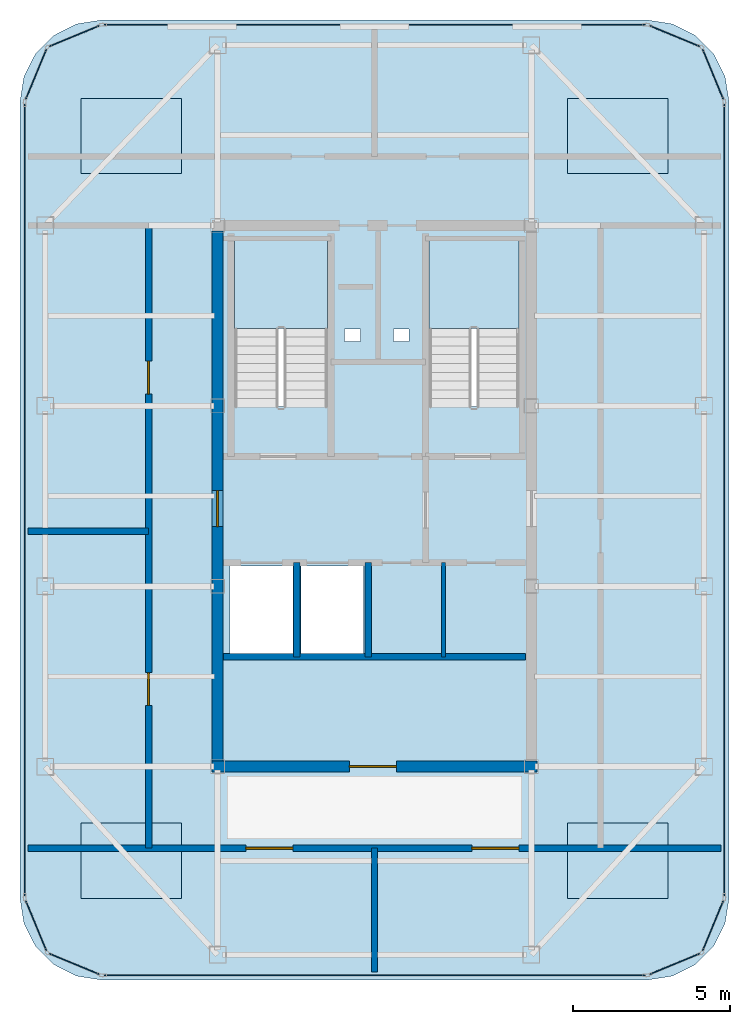
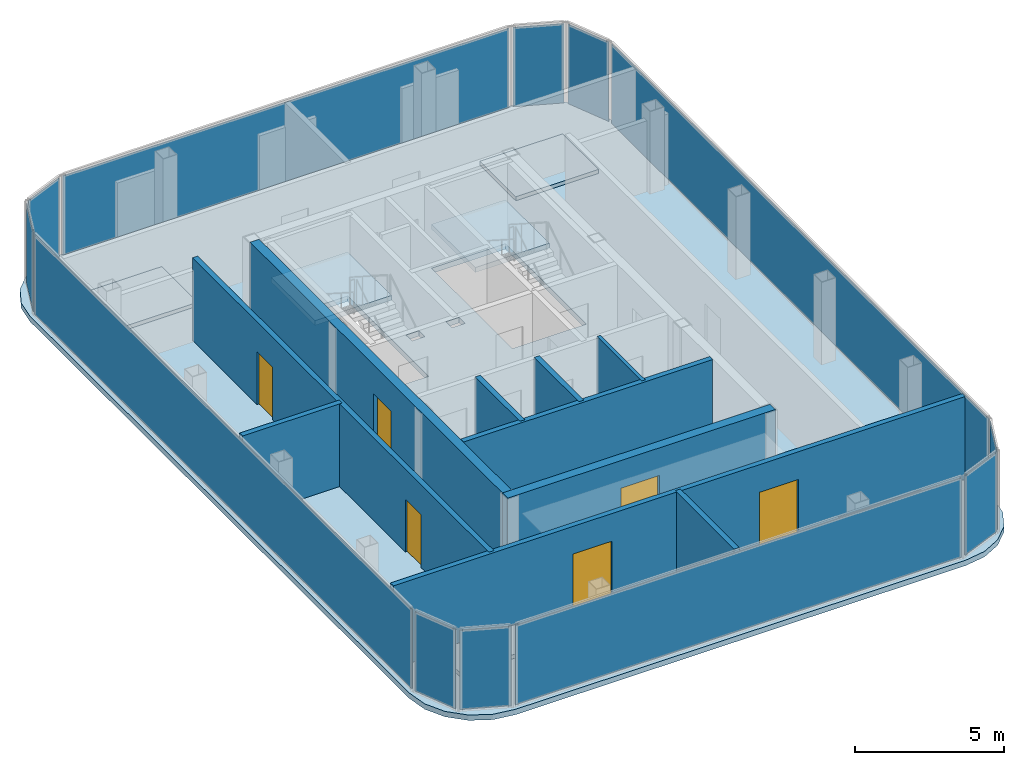
# One storey, part 9 of 11: 12 plates, 10 walls, 7 slabs, 6 doors, 6 openings, 14 elements without a shape of their own.
"""IFC4 building model written with IfcOpenShell, lengths in metres."""

import ifcopenshell
import ifcopenshell.guid

model = None  # the IFC model being written
_history = None  # IfcOwnerHistory: only IFC2X3 demands one
_inside = {}  # id of a spatial element -> (the spatial element, [elements in it])
_under = {}  # id of a project, library or spatial element -> (it, [spatial elements below it])
_declared = {}  # id of a project -> (the project, [libraries it declares])
_typed = {}  # id of a type object -> (the type object, [elements of that type])
_made_of = {}  # id of a material, layer set ... -> (it, [elements and type objects made of it])


def new_model(schema):
    """Start an empty IFC model of exactly this schema.

    Asked for "IFC4X3", IfcOpenShell would pick the latest addendum, in which some entities
    have other attributes; the version numbers below select the first issue.
    IFC2X3 requires an IfcOwnerHistory on every rooted entity: one is made here for all.
    """
    global model, _history
    if schema == "IFC4X3":
        model = ifcopenshell.file(schema_version=(4, 3, 0, 0))
    else:
        model = ifcopenshell.file(schema=schema)
    _inside.clear()
    _under.clear()
    _declared.clear()
    _typed.clear()
    _made_of.clear()
    _history = None
    if model.schema == "IFC2X3":
        org = make("IfcOrganization", Name="unknown")
        user = make(
            "IfcPersonAndOrganization",
            ThePerson=make("IfcPerson", FamilyName="unknown"),
            TheOrganization=org,
        )
        app = make(
            "IfcApplication",
            ApplicationDeveloper=org,
            Version="unknown",
            ApplicationFullName="unknown",
            ApplicationIdentifier="unknown",
        )
        _history = make(
            "IfcOwnerHistory",
            OwningUser=user,
            OwningApplication=app,
            ChangeAction="ADDED",
            CreationDate=0,
        )
    return model


def make(cls, **values):
    """One entity of the class cls with the attributes given. An attribute that is None is left unset."""
    return model.create_entity(
        cls, **{name: value for name, value in values.items() if value is not None}
    )


def rooted(cls, **values):
    """An entity with a GlobalId (a new one), such as an element, a storey or a relation."""
    return make(cls, GlobalId=ifcopenshell.guid.new(), OwnerHistory=_history, **values)


def si_unit(unit_type, name, prefix=None):
    """IfcSIUnit, for example si_unit("LENGTHUNIT", "METRE", prefix="MILLI")."""
    return make("IfcSIUnit", UnitType=unit_type, Prefix=prefix, Name=name)


def assignment(units):
    """IfcUnitAssignment: the units of a project."""
    return None if units is None else make("IfcUnitAssignment", Units=units)


def point(xyz):
    """IfcCartesianPoint."""
    return None if xyz is None else make("IfcCartesianPoint", Coordinates=xyz)


def direction(xyz):
    """IfcDirection."""
    return None if xyz is None else make("IfcDirection", DirectionRatios=xyz)


def frame(location, z_axis=None, x_axis=None):
    """IfcAxis2Placement3D, a coordinate frame: its origin and axes. An axis left out is left unset."""
    return make(
        "IfcAxis2Placement3D",
        Location=point(location),
        Axis=direction(z_axis),
        RefDirection=direction(x_axis),
    )


def frame_2d(location, x_axis=None):
    """IfcAxis2Placement2D, a coordinate frame in the plane: its origin and x axis."""
    return make(
        "IfcAxis2Placement2D", Location=point(location), RefDirection=direction(x_axis)
    )


def origin():
    """The frame at (0, 0, 0) with its axes left unset."""
    return frame((0.0, 0.0, 0.0))


def origin_2d():
    """The frame at (0, 0) in the plane with its x axis left unset."""
    return frame_2d((0.0, 0.0))


def place(relative_to, where):
    """IfcLocalPlacement: puts the frame where relative to a parent placement (None: the world)."""
    return make(
        "IfcLocalPlacement", PlacementRelTo=relative_to, RelativePlacement=where
    )


def context(
    kind, dimensions, precision=None, world=None, true_north=None, identifier=None
):
    """IfcGeometricRepresentationContext, for example the 3D "Model" context."""
    return make(
        "IfcGeometricRepresentationContext",
        ContextIdentifier=identifier,
        ContextType=kind,
        CoordinateSpaceDimension=dimensions,
        Precision=precision,
        WorldCoordinateSystem=world,
        TrueNorth=true_north,
    )


def subcontext(parent, identifier, kind, view, scale=None):
    """IfcGeometricRepresentationSubContext, for example "Body" below "Model"."""
    return make(
        "IfcGeometricRepresentationSubContext",
        ContextIdentifier=identifier,
        ContextType=kind,
        ParentContext=parent,
        TargetScale=scale,
        TargetView=view,
    )


def project(units=None, contexts=None):
    """IfcProject with its units and contexts."""
    return rooted(
        "IfcProject",
        Name="project",
        RepresentationContexts=contexts,
        UnitsInContext=assignment(units),
    )


def spatial(cls, under=None, at=None, **own):
    """A site, building, storey or space (cls), placed at a placement, below another one or the project."""
    s = rooted(cls, ObjectPlacement=at, **own)
    if under is not None:
        _under.setdefault(under.id(), (under, []))[1].append(s)
    return s


def polyline(points):
    """IfcPolyline through the points."""
    return make("IfcPolyline", Points=[point(p) for p in points])


def profile(cls, at=None, kind="AREA", **sizes):
    """A parametric profile (cls). Its sizes go by their IFC names, for example OverallWidth=200.0."""
    return make(cls, ProfileType=kind, Position=at, **sizes)


def rectangle(**sizes):
    """IfcRectangleProfileDef."""
    return profile("IfcRectangleProfileDef", **sizes)


def outline(outer, holes=None, kind="AREA"):
    """IfcArbitraryClosedProfileDef: a profile drawn as a closed curve; with holes, ...WithVoids."""
    if holes is None:
        return make("IfcArbitraryClosedProfileDef", ProfileType=kind, OuterCurve=outer)
    return make(
        "IfcArbitraryProfileDefWithVoids",
        ProfileType=kind,
        OuterCurve=outer,
        InnerCurves=holes,
    )


def extrude(swept, where, along, depth):
    """IfcExtrudedAreaSolid: the profile swept, set in the frame where, extruded along a direction by depth."""
    return make(
        "IfcExtrudedAreaSolid",
        SweptArea=swept,
        Position=where,
        ExtrudedDirection=direction(along),
        Depth=depth,
    )


def shape(context_of_items, identifier, shape_type, items):
    """IfcShapeRepresentation: the items that make up one representation, for example the "Body"."""
    return make(
        "IfcShapeRepresentation",
        ContextOfItems=context_of_items,
        RepresentationIdentifier=identifier,
        RepresentationType=shape_type,
        Items=items,
    )


def source(mapping_origin, context_of_items, identifier, shape_type, items):
    """IfcRepresentationMap: a shape defined once, which mapped items show again and again."""
    return make(
        "IfcRepresentationMap",
        MappingOrigin=mapping_origin,
        MappedRepresentation=shape(context_of_items, identifier, shape_type, items),
    )


def transform(
    local_origin,
    x_axis=None,
    y_axis=None,
    z_axis=None,
    scale=None,
    scale2=None,
    scale3=None,
    uniform=True,
):
    """IfcCartesianTransformationOperator3D, or its non-uniform kind. x_axis, y_axis, z_axis: its Axis1, 2, 3."""
    if uniform:
        return make(
            "IfcCartesianTransformationOperator3D",
            Axis1=direction(x_axis),
            Axis2=direction(y_axis),
            LocalOrigin=point(local_origin),
            Scale=scale,
            Axis3=direction(z_axis),
        )
    return make(
        "IfcCartesianTransformationOperator3DnonUniform",
        Axis1=direction(x_axis),
        Axis2=direction(y_axis),
        LocalOrigin=point(local_origin),
        Scale=scale,
        Axis3=direction(z_axis),
        Scale2=scale2,
        Scale3=scale3,
    )


def mapped(mapping_source, mapping_target):
    """IfcMappedItem: shows the shape of a source again, moved by a transform."""
    return make(
        "IfcMappedItem", MappingSource=mapping_source, MappingTarget=mapping_target
    )


def material(Name=None, Category=None):
    """IfcMaterial."""
    return make("IfcMaterial", Name=Name, Category=Category)


def layer(
    of_material, thickness, ventilated=None, Name=None, Category=None, Priority=None
):
    """IfcMaterialLayer: one layer of a wall or slab, of a material (None: an air gap)."""
    return make(
        "IfcMaterialLayer",
        Material=of_material,
        LayerThickness=thickness,
        IsVentilated=ventilated,
        Name=Name,
        Category=Category,
        Priority=Priority,
    )


def layer_set(layers, Name=None):
    """IfcMaterialLayerSet."""
    return make("IfcMaterialLayerSet", MaterialLayers=layers, LayerSetName=Name)


def made_of(thing, what):
    """Note that an element or type object is made of a material, layer set ...; save() writes the relation."""
    if what is not None:
        _made_of.setdefault(what.id(), (what, []))[1].append(thing)
    return thing


def type_object(cls, material=None, **own):
    """A type object (cls), such as IfcWallType, which elements share."""
    return made_of(rooted(cls, **own), material)


def element(
    cls,
    number,
    at=None,
    inside=None,
    cuts=None,
    type_object=None,
    material=None,
    context=None,
    identifier="Body",
    shape_type=None,
    held_by="IfcProductDefinitionShape",
    body=None,
    shapes=None,
    **own,
):
    """One element of the class cls, such as IfcWall. Its Tag is "e" and its number.

    at: its placement. inside: the storey or other place that contains it. cuts: it is an
    opening in that element (IfcRelVoidsElement). A single representation is given by context,
    identifier, shape_type and body (its items); several are given by shapes. held_by: the class
    of the entity that holds the representations. save() writes the other relations.
    """
    e = rooted(cls, Tag="e%d" % number, ObjectPlacement=at, **own)
    if body is not None:
        shapes = [shape(context, identifier, shape_type, body)]
    if shapes is not None:
        e.Representation = make(held_by, Representations=shapes)
    if inside is not None:
        _inside.setdefault(inside.id(), (inside, []))[1].append(e)
    if cuts is not None:
        rooted(
            "IfcRelVoidsElement", RelatingBuildingElement=cuts, RelatedOpeningElement=e
        )
    if type_object is not None:
        _typed.setdefault(type_object.id(), (type_object, []))[1].append(e)
    return made_of(e, material)


def fill(opening, filler):
    """IfcRelFillsElement: the door or window that sits in an opening."""
    return rooted(
        "IfcRelFillsElement",
        RelatingOpeningElement=opening,
        RelatedBuildingElement=filler,
    )


def aggregate(whole, parts):
    """IfcRelAggregates: a whole, such as a stair, and the parts it consists of."""
    return rooted("IfcRelAggregates", RelatingObject=whole, RelatedObjects=parts)


def save(model, path):
    """Write the relations noted so far, then the file.

    IfcRelAggregates (storeys below a building ...), IfcRelContainedInSpatialStructure (elements
    in a storey), IfcRelDefinesByType, IfcRelAssociatesMaterial and IfcRelDeclares: one each for
    every whole, place, type object, material and project.
    """
    for whole, parts in _under.values():
        aggregate(whole, parts)
    for where, things in _inside.values():
        rooted(
            "IfcRelContainedInSpatialStructure",
            RelatedElements=things,
            RelatingStructure=where,
        )
    for kind, things in _typed.values():
        rooted("IfcRelDefinesByType", RelatedObjects=things, RelatingType=kind)
    for what, things in _made_of.values():
        rooted("IfcRelAssociatesMaterial", RelatedObjects=things, RelatingMaterial=what)
    for by, libraries in _declared.values():
        rooted("IfcRelDeclares", RelatingContext=by, RelatedDefinitions=libraries)
    model.write(path)


model = new_model("IFC4")

# Units and contexts
model_context = context("Model", 3, precision=1e-05, world=origin(), true_north=direction((0.0, 1.0)))
body_context = subcontext(model_context, "Body", "Model", "MODEL_VIEW")
ifc_project = project(units=[si_unit("LENGTHUNIT", "METRE"), si_unit("AREAUNIT", "SQUARE_METRE"), si_unit("VOLUMEUNIT", "CUBIC_METRE"), si_unit("PLANEANGLEUNIT", "RADIAN"), si_unit("MASSUNIT", "GRAM", prefix="KILO")], contexts=[model_context])

# Site, building, storey
site_placement = place(None, origin())
site = spatial("IfcSite", under=ifc_project, at=site_placement, CompositionType="ELEMENT")
building_placement = place(site_placement, origin())
building = spatial("IfcBuilding", under=site, at=building_placement, Name="Kolveth Station Tower", CompositionType="ELEMENT")
storey_placement = place(building_placement, frame((0.0, 0.0, 289.300048828125)))
storey = spatial("IfcBuildingStorey", under=building, at=storey_placement, Name="L83", CompositionType="ELEMENT", Elevation=289.300048828125)

# Slab
ifc_material_1 = material(Name="Concrete C40/50", Category="concrete")
ifc_layer_1 = layer(ifc_material_1, 0.219970703125)
ifc_layer_set_1 = layer_set([ifc_layer_1], Name="Concrete C40/50")
slab_type_1 = type_object("IfcSlabType", Name="Slab_SF-220", PredefinedType="FLOOR", material=ifc_layer_set_1)
slab_1_placement = place(storey_placement, frame((0.0, 0.0, -0.219970703125)))
element("IfcSlab", 1, at=slab_1_placement, inside=storey, type_object=slab_type_1, Name="L83 Tower Structural Floor Slab", PredefinedType="FLOOR", context=body_context, shape_type="SweptSolid", body=[
    extrude(outline(polyline([(32.199951171875, 4.699951171875), (33.00341796875, 4.827392578125), (33.728271484375, 5.196533203125), (34.303466796875, 5.771728515625), (34.672607421875, 6.49658203125), (34.800048828125, 7.300048828125), (34.800048828125, 32.699951171875), (34.672607421875, 33.50341796875), (34.303466796875, 34.228271484375), (33.728271484375, 34.803466796875), (33.00341796875, 35.172607421875), (32.199951171875, 35.300048828125), (14.800048828125, 35.300048828125), (13.99658203125, 35.172607421875), (13.271728515625, 34.803466796875), (12.696533203125, 34.228271484375), (12.327392578125, 33.50341796875), (12.199951171875, 32.699951171875), (12.199951171875, 7.300048828125), (12.327392578125, 6.49658203125), (12.696533203125, 5.771728515625), (13.271728515625, 5.196533203125), (13.99658203125, 4.827392578125), (14.800048828125, 4.699951171875), (32.199951171875, 4.699951171875)]), holes=[polyline([(19.0400390625, 22.985107421875), (22.0, 22.985107421875), (22.0, 28.39990234375), (19.0400390625, 28.39990234375), (19.0400390625, 22.985107421875)]), polyline([(25.239990234375, 22.985107421875), (28.10009765625, 22.985107421875), (28.10009765625, 28.39990234375), (25.239990234375, 28.39990234375), (25.239990234375, 22.985107421875)]), polyline([(18.89990234375, 15.10009765625), (20.89990234375, 15.10009765625), (20.89990234375, 17.89990234375), (18.89990234375, 17.89990234375), (18.89990234375, 15.10009765625)]), polyline([(21.14990234375, 15.10009765625), (23.14990234375, 15.10009765625), (23.14990234375, 17.89990234375), (21.14990234375, 17.89990234375), (21.14990234375, 15.10009765625)]), polyline([(22.550048828125, 25.050048828125), (23.050048828125, 25.050048828125), (23.050048828125, 25.449951171875), (22.550048828125, 25.449951171875), (22.550048828125, 25.050048828125)]), polyline([(24.10009765625, 25.050048828125), (24.60009765625, 25.050048828125), (24.60009765625, 25.449951171875), (24.10009765625, 25.449951171875), (24.10009765625, 25.050048828125)])]), origin(), (0.0, 0.0, 1.0), 0.219970703125),
])

# Stair, slab
stair_type_1 = type_object("IfcStairType", Name="Stair_ST2", PredefinedType="HALF_TURN_STAIR", material=ifc_material_1)
stair_1_placement = place(storey_placement, origin())
stair_1 = element("IfcStair", 2, at=stair_1_placement, inside=storey, type_object=stair_type_1, Name="L83 Tower Exit Stair ST2", PredefinedType="HALF_TURN_STAIR")
ifc_layer_2 = layer(ifc_material_1, 0.18994140625)
ifc_layer_set_2 = layer_set([ifc_layer_2], Name="Concrete C40/50")
slab_type_2 = type_object("IfcSlabType", Name="Slab_SL-190", PredefinedType="LANDING", material=ifc_layer_set_2)
slab_2_placement = place(storey_placement, frame((0.0, 0.0, 1.599853515625)))
slab_2 = element("IfcSlab", 3, at=slab_2_placement, type_object=slab_type_2, Name="ST2 landing 1", PredefinedType="LANDING", context=body_context, shape_type="SweptSolid", body=[
    extrude(outline(polyline([(28.10009765625, 25.469970703125), (28.10009765625, 28.39990234375), (25.239990234375, 28.39990234375), (25.239990234375, 25.469970703125), (28.10009765625, 25.469970703125)])), origin(), (0.0, 0.0, 1.0), 0.2001953125),
])
aggregate(stair_1, [slab_2])

stair_type_2 = type_object("IfcStairType", Name="Stair_ST1", PredefinedType="HALF_TURN_STAIR", material=ifc_material_1)
stair_2_placement = place(storey_placement, origin())
stair_2 = element("IfcStair", 4, at=stair_2_placement, inside=storey, type_object=stair_type_2, Name="L83 Tower Exit Stair ST1", PredefinedType="HALF_TURN_STAIR")
ifc_layer_3 = layer(ifc_material_1, 0.205078125)
ifc_layer_set_3 = layer_set([ifc_layer_3], Name="Concrete C40/50")
slab_type_3 = type_object("IfcSlabType", Name="Slab_SL-205", PredefinedType="LANDING", material=ifc_layer_set_3)
slab_3_placement = place(storey_placement, frame((0.0, 0.0, 1.599853515625)))
slab_3 = element("IfcSlab", 5, at=slab_3_placement, type_object=slab_type_3, Name="ST1 landing 1", PredefinedType="LANDING", context=body_context, shape_type="SweptSolid", body=[
    extrude(outline(polyline([(22.0, 25.469970703125), (22.0, 28.39990234375), (19.0400390625, 28.39990234375), (19.0400390625, 25.469970703125), (22.0, 25.469970703125)])), origin(), (0.0, 0.0, 1.0), 0.2001953125),
])
aggregate(stair_2, [slab_3])

# Slabs
ifc_layer_4 = layer(ifc_material_1, 0.159912109375)
ifc_layer_set_4 = layer_set([ifc_layer_4], Name="Concrete C40/50")
slab_type_4 = type_object("IfcSlabType", Name="Slab_PL-160", PredefinedType="FLOOR", material=ifc_layer_set_4)
shared_shape_1 = source(origin(), body_context, "Body", "SweptSolid", [
    extrude(rectangle(XDim=3.199951171875, YDim=2.39990234375, at=origin_2d()), origin(), (0.0, 0.0, 1.0), 0.159912109375),
])
for number, where, z_axis, x_axis, name in (
    (6, (15.75, 8.5, 0.0), (0.0, 0.0, 1.0), (1.0, 0.0, 0.0), "L83 High-Altitude Plant Plinth 1"),
    (7, (31.25, 8.5, 0.0), (0.0, 0.0, 1.0), (1.0, 0.0, 0.0), "L83 High-Altitude Plant Plinth 2"),
    (8, (15.75, 31.60009765625, 0.0), (0.0, 0.0, 1.0), (1.0, 0.0, 0.0), "L83 High-Altitude Plant Plinth 3"),
    (9, (31.25, 31.60009765625, 0.0), (0.0, 0.0, 1.0), (1.0, 0.0, 0.0), "L83 High-Altitude Plant Plinth 4"),
):
    element("IfcSlab", number, at=place(storey_placement, frame(where, z_axis=z_axis, x_axis=x_axis)), inside=storey, type_object=slab_type_4, Name=name, PredefinedType="FLOOR", context=body_context, shape_type="MappedRepresentation", body=[
        mapped(shared_shape_1, transform((0.0, 0.0, 0.0), x_axis=(1.0, 0.0, 0.0), y_axis=(0.0, 1.0, 0.0), z_axis=(0.0, 0.0, 1.0), scale=1.0)),
    ])

# Curtain wall, plate
ifc_material_2 = material(Name="Black anodized aluminium 6063-T6 and dark crown glass", Category="aluminium")
ifc_layer_5 = layer(ifc_material_2, 0.169921875)
ifc_layer_set_5 = layer_set([ifc_layer_5], Name="Black anodized aluminium 6063-T6 and dark crown glass")
curtain_wall_type = type_object("IfcCurtainWallType", Name="CurtainWall_CW-CR", PredefinedType="NOTDEFINED", material=ifc_layer_set_5)
curtain_wall_1_placement = place(storey_placement, origin())
curtain_wall_1 = element("IfcCurtainWall", 10, at=curtain_wall_1_placement, inside=storey, type_object=curtain_wall_type, Name="L83 Stepped Crown Curtain Wall 1", PredefinedType="NOTDEFINED")
ifc_material_3 = material(Name="Architectural low-E dark glass", Category="glass")
ifc_layer_6 = layer(ifc_material_3, 0.033935546875)
ifc_layer_set_6 = layer_set([ifc_layer_6], Name="Architectural low-E dark glass")
plate_type = type_object("IfcPlateType", Name="Panel_GL-CR", PredefinedType="CURTAIN_PANEL", material=ifc_layer_set_6)
shared_shape_2 = source(origin(), body_context, "Body", "SweptSolid", [
    extrude(rectangle(XDim=1.718994140625, YDim=0.033935546875, at=origin_2d()), origin(), (0.0, 0.0, 1.0), 3.23388671875),
])
plate_1_placement = place(storey_placement, frame((33.066162109375, 5.208740234375, 0.072998046875), z_axis=(0.0, 0.0, 1.0), x_axis=(0.923876435676, 0.382690908701, 0.0)))
plate_1 = element("IfcPlate", 11, at=plate_1_placement, type_object=plate_type, Name="CW-CR panel 1.1", PredefinedType="CURTAIN_PANEL", context=body_context, shape_type="MappedRepresentation", body=[
    mapped(shared_shape_2, transform((0.0, 0.0, 0.0), x_axis=(1.0, 0.0, 0.0), y_axis=(0.0, 1.0, 0.0), z_axis=(0.0, 0.0, 1.0), scale=1.0)),
])
aggregate(curtain_wall_1, [plate_1])

curtain_wall_2_placement = place(storey_placement, origin())
curtain_wall_2 = element("IfcCurtainWall", 12, at=curtain_wall_2_placement, inside=storey, type_object=curtain_wall_type, Name="L83 Stepped Crown Curtain Wall 2", PredefinedType="NOTDEFINED")
plate_2_placement = place(storey_placement, frame((34.291259765625, 6.433837890625, 0.072998046875), z_axis=(0.0, 0.0, 1.0), x_axis=(0.382690908701, 0.923876435676, 0.0)))
plate_2 = element("IfcPlate", 13, at=plate_2_placement, type_object=plate_type, Name="CW-CR panel 1.1", PredefinedType="CURTAIN_PANEL", context=body_context, shape_type="MappedRepresentation", body=[
    mapped(shared_shape_2, transform((0.0, 0.0, 0.0), x_axis=(1.0, 0.0, 0.0), y_axis=(0.0, 1.0, 0.0), z_axis=(0.0, 0.0, 1.0), scale=1.0)),
])
aggregate(curtain_wall_2, [plate_2])

curtain_wall_3_placement = place(storey_placement, origin())
curtain_wall_3 = element("IfcCurtainWall", 14, at=curtain_wall_3_placement, inside=storey, type_object=curtain_wall_type, Name="L83 Stepped Crown Curtain Wall 4", PredefinedType="NOTDEFINED")
plate_3_placement = place(storey_placement, frame((34.291259765625, 33.566162109375, 0.072998046875), z_axis=(0.0, 0.0, 1.0), x_axis=(-0.382690908701, 0.923876435676, 0.0)))
plate_3 = element("IfcPlate", 15, at=plate_3_placement, type_object=plate_type, Name="CW-CR panel 1.1", PredefinedType="CURTAIN_PANEL", context=body_context, shape_type="MappedRepresentation", body=[
    mapped(shared_shape_2, transform((0.0, 0.0, 0.0), x_axis=(1.0, 0.0, 0.0), y_axis=(0.0, 1.0, 0.0), z_axis=(0.0, 0.0, 1.0), scale=1.0)),
])
aggregate(curtain_wall_3, [plate_3])

curtain_wall_4_placement = place(storey_placement, origin())
curtain_wall_4 = element("IfcCurtainWall", 16, at=curtain_wall_4_placement, inside=storey, type_object=curtain_wall_type, Name="L83 Stepped Crown Curtain Wall 5", PredefinedType="NOTDEFINED")
plate_4_placement = place(storey_placement, frame((33.066162109375, 34.791259765625, 0.072998046875), z_axis=(0.0, 0.0, 1.0), x_axis=(-0.923876435676, 0.382690908701, 0.0)))
plate_4 = element("IfcPlate", 17, at=plate_4_placement, type_object=plate_type, Name="CW-CR panel 1.1", PredefinedType="CURTAIN_PANEL", context=body_context, shape_type="MappedRepresentation", body=[
    mapped(shared_shape_2, transform((0.0, 0.0, 0.0), x_axis=(1.0, 0.0, 0.0), y_axis=(0.0, 1.0, 0.0), z_axis=(0.0, 0.0, 1.0), scale=1.0)),
])
aggregate(curtain_wall_4, [plate_4])

curtain_wall_5_placement = place(storey_placement, origin())
curtain_wall_5 = element("IfcCurtainWall", 18, at=curtain_wall_5_placement, inside=storey, type_object=curtain_wall_type, Name="L83 Stepped Crown Curtain Wall 7", PredefinedType="NOTDEFINED")
plate_5_placement = place(storey_placement, frame((13.933837890625, 34.791259765625, 0.072998046875), z_axis=(0.0, 0.0, 1.0), x_axis=(-0.923876435676, -0.382690908701, 0.0)))
plate_5 = element("IfcPlate", 19, at=plate_5_placement, type_object=plate_type, Name="CW-CR panel 1.1", PredefinedType="CURTAIN_PANEL", context=body_context, shape_type="MappedRepresentation", body=[
    mapped(shared_shape_2, transform((0.0, 0.0, 0.0), x_axis=(1.0, 0.0, 0.0), y_axis=(0.0, 1.0, 0.0), z_axis=(0.0, 0.0, 1.0), scale=1.0)),
])
aggregate(curtain_wall_5, [plate_5])

curtain_wall_6_placement = place(storey_placement, origin())
curtain_wall_6 = element("IfcCurtainWall", 20, at=curtain_wall_6_placement, inside=storey, type_object=curtain_wall_type, Name="L83 Stepped Crown Curtain Wall 8", PredefinedType="NOTDEFINED")
plate_6_placement = place(storey_placement, frame((12.708740234375, 33.566162109375, 0.072998046875), z_axis=(0.0, 0.0, 1.0), x_axis=(-0.382690908701, -0.923876435676, 0.0)))
plate_6 = element("IfcPlate", 21, at=plate_6_placement, type_object=plate_type, Name="CW-CR panel 1.1", PredefinedType="CURTAIN_PANEL", context=body_context, shape_type="MappedRepresentation", body=[
    mapped(shared_shape_2, transform((0.0, 0.0, 0.0), x_axis=(1.0, 0.0, 0.0), y_axis=(0.0, 1.0, 0.0), z_axis=(0.0, 0.0, 1.0), scale=1.0)),
])
aggregate(curtain_wall_6, [plate_6])

curtain_wall_7_placement = place(storey_placement, origin())
curtain_wall_7 = element("IfcCurtainWall", 22, at=curtain_wall_7_placement, inside=storey, type_object=curtain_wall_type, Name="L83 Stepped Crown Curtain Wall 10", PredefinedType="NOTDEFINED")
plate_7_placement = place(storey_placement, frame((12.708740234375, 6.433837890625, 0.072998046875), z_axis=(0.0, 0.0, 1.0), x_axis=(0.382690908701, -0.923876435676, 0.0)))
plate_7 = element("IfcPlate", 23, at=plate_7_placement, type_object=plate_type, Name="CW-CR panel 1.1", PredefinedType="CURTAIN_PANEL", context=body_context, shape_type="MappedRepresentation", body=[
    mapped(shared_shape_2, transform((0.0, 0.0, 0.0), x_axis=(1.0, 0.0, 0.0), y_axis=(0.0, 1.0, 0.0), z_axis=(0.0, 0.0, 1.0), scale=1.0)),
])
aggregate(curtain_wall_7, [plate_7])

curtain_wall_8_placement = place(storey_placement, origin())
curtain_wall_8 = element("IfcCurtainWall", 24, at=curtain_wall_8_placement, inside=storey, type_object=curtain_wall_type, Name="L83 Stepped Crown Curtain Wall 11", PredefinedType="NOTDEFINED")
plate_8_placement = place(storey_placement, frame((13.933837890625, 5.208740234375, 0.072998046875), z_axis=(0.0, 0.0, 1.0), x_axis=(0.923876435676, -0.382690908701, 0.0)))
plate_8 = element("IfcPlate", 25, at=plate_8_placement, type_object=plate_type, Name="CW-CR panel 1.1", PredefinedType="CURTAIN_PANEL", context=body_context, shape_type="MappedRepresentation", body=[
    mapped(shared_shape_2, transform((0.0, 0.0, 0.0), x_axis=(1.0, 0.0, 0.0), y_axis=(0.0, 1.0, 0.0), z_axis=(0.0, 0.0, 1.0), scale=1.0)),
])
aggregate(curtain_wall_8, [plate_8])

curtain_wall_9_placement = place(storey_placement, origin())
curtain_wall_9 = element("IfcCurtainWall", 26, at=curtain_wall_9_placement, inside=storey, type_object=curtain_wall_type, Name="L83 Stepped Crown Curtain Wall 3", PredefinedType="NOTDEFINED")
shared_shape_3 = source(origin(), body_context, "Body", "SweptSolid", [
    extrude(rectangle(XDim=25.243896484375, YDim=0.033935546875, at=origin_2d()), origin(), (0.0, 0.0, 1.0), 3.23388671875),
])
plate_9_placement = place(storey_placement, frame((34.64990234375, 20.0, 0.072998046875), z_axis=(0.0, 0.0, 1.0), x_axis=(0.0, 1.0, 0.0)))
plate_9 = element("IfcPlate", 27, at=plate_9_placement, type_object=plate_type, Name="CW-CR panel 1.1", PredefinedType="CURTAIN_PANEL", context=body_context, shape_type="MappedRepresentation", body=[
    mapped(shared_shape_3, transform((0.0, 0.0, 0.0), x_axis=(1.0, 0.0, 0.0), y_axis=(0.0, 1.0, 0.0), z_axis=(0.0, 0.0, 1.0), scale=1.0)),
])
aggregate(curtain_wall_9, [plate_9])

curtain_wall_10_placement = place(storey_placement, origin())
curtain_wall_10 = element("IfcCurtainWall", 28, at=curtain_wall_10_placement, inside=storey, type_object=curtain_wall_type, Name="L83 Stepped Crown Curtain Wall 9", PredefinedType="NOTDEFINED")
plate_10_placement = place(storey_placement, frame((12.35009765625, 20.0, 0.072998046875), z_axis=(0.0, 0.0, 1.0), x_axis=(0.0, -1.0, 0.0)))
plate_10 = element("IfcPlate", 29, at=plate_10_placement, type_object=plate_type, Name="CW-CR panel 1.1", PredefinedType="CURTAIN_PANEL", context=body_context, shape_type="MappedRepresentation", body=[
    mapped(shared_shape_3, transform((0.0, 0.0, 0.0), x_axis=(1.0, 0.0, 0.0), y_axis=(0.0, 1.0, 0.0), z_axis=(0.0, 0.0, 1.0), scale=1.0)),
])
aggregate(curtain_wall_10, [plate_10])

curtain_wall_11_placement = place(storey_placement, origin())
curtain_wall_11 = element("IfcCurtainWall", 30, at=curtain_wall_11_placement, inside=storey, type_object=curtain_wall_type, Name="L83 Stepped Crown Curtain Wall 6", PredefinedType="NOTDEFINED")
shared_shape_4 = source(origin(), body_context, "Body", "SweptSolid", [
    extrude(rectangle(XDim=17.243896484375, YDim=0.033935546875, at=origin_2d()), origin(), (0.0, 0.0, 1.0), 3.23388671875),
])
plate_11_placement = place(storey_placement, frame((23.5, 35.14990234375, 0.072998046875), z_axis=(0.0, 0.0, 1.0), x_axis=(-1.0, 0.0, 0.0)))
plate_11 = element("IfcPlate", 31, at=plate_11_placement, type_object=plate_type, Name="CW-CR panel 1.1", PredefinedType="CURTAIN_PANEL", context=body_context, shape_type="MappedRepresentation", body=[
    mapped(shared_shape_4, transform((0.0, 0.0, 0.0), x_axis=(1.0, 0.0, 0.0), y_axis=(0.0, 1.0, 0.0), z_axis=(0.0, 0.0, 1.0), scale=1.0)),
])
aggregate(curtain_wall_11, [plate_11])

curtain_wall_12_placement = place(storey_placement, origin())
curtain_wall_12 = element("IfcCurtainWall", 32, at=curtain_wall_12_placement, inside=storey, type_object=curtain_wall_type, Name="L83 Stepped Crown Curtain Wall 12", PredefinedType="NOTDEFINED")
plate_12_placement = place(storey_placement, frame((23.5, 4.85009765625, 0.072998046875), z_axis=(0.0, 0.0, 1.0), x_axis=(1.0, 0.0, 0.0)))
plate_12 = element("IfcPlate", 33, at=plate_12_placement, type_object=plate_type, Name="CW-CR panel 1.1", PredefinedType="CURTAIN_PANEL", context=body_context, shape_type="MappedRepresentation", body=[
    mapped(shared_shape_4, transform((0.0, 0.0, 0.0), x_axis=(1.0, 0.0, 0.0), y_axis=(0.0, 1.0, 0.0), z_axis=(0.0, 0.0, 1.0), scale=1.0)),
])
aggregate(curtain_wall_12, [plate_12])

# Wall, opening, door
ifc_material_4 = material(Name="Concrete C50/60", Category="concrete")
ifc_layer_7 = layer(ifc_material_4, 0.35009765625)
ifc_layer_set_7 = layer_set([ifc_layer_7], Name="Concrete C50/60")
wall_type_1 = type_object("IfcWallType", Name="Wall_CW-350", PredefinedType="SHEAR", material=ifc_layer_set_7)
wall_1_placement = place(storey_placement, frame((18.324951171875, 11.5, 0.0), z_axis=(0.0, 0.0, 1.0), x_axis=(1.0, 0.0, 0.0)))
wall_1 = element("IfcWall", 34, at=wall_1_placement, inside=storey, type_object=wall_type_1, Name="L83 Core RC Shear Wall S", PredefinedType="SHEAR", context=body_context, shape_type="SweptSolid", body=[
    extrude(rectangle(XDim=10.35009765625, YDim=0.35009765625, at=frame_2d((5.175048828125, 0.0))), origin(), (0.0, 0.0, 1.0), 3.3798828125),
])
opening_1_placement = place(wall_1_placement, frame((4.375, 0.0, 0.0)))
opening_1 = element("IfcOpeningElement", 35, at=opening_1_placement, cuts=wall_1, Name="Opening FD4", PredefinedType="OPENING", context=body_context, shape_type="SweptSolid", body=[
    extrude(rectangle(XDim=1.5, YDim=2.25, at=frame_2d((0.75, 1.125))), frame((0.0, 0.18505859375, 0.0), z_axis=(0.0, -1.0, 0.0), x_axis=(1.0, 0.0, 0.0)), (0.0, 0.0, 1.0), 0.3701171875),
])
ifc_material_5 = material(Name="Fire-rated double Steel S355 leaf", Category="steel")
door_type_1 = type_object("IfcDoorType", Name="Door_FD4", OperationType="NOTDEFINED", PredefinedType="DOOR", material=ifc_material_5)
door_1_placement = place(opening_1_placement, frame((1.5, 0.0, 0.0), z_axis=(0.0, 0.0, 1.0), x_axis=(-1.0, 0.0, 0.0)))
door_1 = element("IfcDoor", 36, at=door_1_placement, inside=storey, type_object=door_type_1, Name="L83 Fan Plant Double Door", OperationType="DOUBLE_DOOR_SINGLE_SWING", OverallHeight=2.25, OverallWidth=1.5, PredefinedType="DOOR", context=body_context, shape_type="SweptSolid", body=[
    extrude(rectangle(XDim=1.5, YDim=2.25, at=frame_2d((0.75, 1.125))), frame((0.0, 0.02490234375, 0.0), z_axis=(0.0, -1.0, 0.0), x_axis=(1.0, 0.0, 0.0)), (0.0, 0.0, 1.0), 0.050048828125),
])
fill(opening_1, door_1)

wall_2_placement = place(storey_placement, frame((18.5, 11.675048828125, 0.0), z_axis=(0.0, 0.0, 1.0), x_axis=(0.0, 1.0, 0.0)))
wall_2 = element("IfcWall", 37, at=wall_2_placement, inside=storey, type_object=wall_type_1, Name="L83 Core RC Shear Wall W", PredefinedType="SHEAR", context=body_context, shape_type="SweptSolid", body=[
    extrude(rectangle(XDim=16.89990234375, YDim=0.35009765625, at=frame_2d((8.449951171875, 0.0))), origin(), (0.0, 0.0, 1.0), 3.3798828125),
])
opening_2_placement = place(wall_2_placement, frame((7.47509765625, 0.0, 0.0)))
opening_2 = element("IfcOpeningElement", 38, at=opening_2_placement, cuts=wall_2, Name="Opening FD1", PredefinedType="OPENING", context=body_context, shape_type="SweptSolid", body=[
    extrude(rectangle(XDim=1.14990234375, YDim=2.199951171875, at=frame_2d((0.574951171875, 1.10009765625))), frame((0.0, 0.18505859375, 0.0), z_axis=(0.0, -1.0, 0.0), x_axis=(1.0, 0.0, 0.0)), (0.0, 0.0, 1.0), 0.3701171875),
])
ifc_material_6 = material(Name="Fire-rated Steel S355 leaf and frame", Category="steel")
door_type_2 = type_object("IfcDoorType", Name="Door_FD1", OperationType="NOTDEFINED", PredefinedType="DOOR", material=ifc_material_6)
door_2_placement = place(opening_2_placement, frame((1.14990234375, 0.0, 0.0), z_axis=(0.0, 0.0, 1.0), x_axis=(-1.0, 0.0, 0.0)))
door_2 = element("IfcDoor", 39, at=door_2_placement, inside=storey, type_object=door_type_2, Name="L83 West Corridor to Firefighting Lobby Door", OperationType="SINGLE_SWING_LEFT", OverallHeight=2.199951171875, OverallWidth=1.14990234375, PredefinedType="DOOR", context=body_context, shape_type="SweptSolid", body=[
    extrude(rectangle(XDim=1.14990234375, YDim=2.199951171875, at=frame_2d((0.574951171875, 1.10009765625))), frame((0.0, 0.02490234375, 0.0), z_axis=(0.0, -1.0, 0.0), x_axis=(1.0, 0.0, 0.0)), (0.0, 0.0, 1.0), 0.050048828125),
])
fill(opening_2, door_2)

# Walls
ifc_material_7 = material(Name="Moisture-resistant gypsum partition")
ifc_layer_8 = layer(ifc_material_7, 0.135009765625)
ifc_layer_set_8 = layer_set([ifc_layer_8], Name="Moisture-resistant gypsum partition")
wall_type_2 = type_object("IfcWallType", Name="Wall_IW-135", PredefinedType="PARTITIONING", material=ifc_layer_set_8)
wall_3_placement = place(storey_placement, frame((25.699951171875, 15.0, 0.0), z_axis=(0.0, 0.0, 1.0), x_axis=(0.0, 1.0, 0.0)))
element("IfcWall", 40, at=wall_3_placement, inside=storey, type_object=wall_type_2, Name="L83 Partition Wall WL-L83-CB-V1", PredefinedType="PARTITIONING", context=body_context, shape_type="SweptSolid", body=[
    extrude(rectangle(XDim=3.0, YDim=0.135009765625, at=frame_2d((1.5, 0.0))), origin(), (0.0, 0.0, 1.0), 3.3798828125),
])
ifc_material_8 = material(Name="Acoustic fire-rated gypsum blockwork", Category="masonry")
ifc_layer_9 = layer(ifc_material_8, 0.199951171875)
ifc_layer_set_9 = layer_set([ifc_layer_9], Name="Acoustic fire-rated gypsum blockwork")
wall_type_3 = type_object("IfcWallType", Name="Wall_IW-200", PredefinedType="PARTITIONING", material=ifc_layer_set_9)
for number, where, z_axis, x_axis, name in (
    (41, (21.02001953125, 15.0, 0.0), (0.0, 0.0, 1.0), (0.0, 1.0, 0.0), "L83 Partition Wall WL-L83-FF12"),
    (42, (23.300048828125, 15.0, 0.0), (0.0, 0.0, 1.0), (0.0, 1.0, 0.0), "L83 Partition Wall WL-L83-FF2E"),
):
    element("IfcWall", number, at=place(storey_placement, frame(where, z_axis=z_axis, x_axis=x_axis)), inside=storey, type_object=wall_type_3, Name=name, PredefinedType="PARTITIONING", context=body_context, shape_type="SweptSolid", body=[
        extrude(rectangle(XDim=3.0, YDim=0.199951171875, at=frame_2d((1.5, 0.0))), origin(), (0.0, 0.0, 1.0), 3.3798828125),
    ])
wall_4_placement = place(storey_placement, frame((18.68505859375, 15.0, 0.0), z_axis=(0.0, 0.0, 1.0), x_axis=(1.0, 0.0, 0.0)))
element("IfcWall", 43, at=wall_4_placement, inside=storey, type_object=wall_type_3, Name="L83 Partition Wall WL-L83-BOH-S", PredefinedType="PARTITIONING", context=body_context, shape_type="SweptSolid", body=[
    extrude(rectangle(XDim=9.6298828125, YDim=0.199951171875, at=frame_2d((4.81494140625, 0.0))), origin(), (0.0, 0.0, 1.0), 3.3798828125),
])

# Wall, openings, doors
wall_5_placement = place(storey_placement, frame((12.449951171875, 8.89990234375, 0.0), z_axis=(0.0, 0.0, 1.0), x_axis=(1.0, 0.0, 0.0)))
wall_5 = element("IfcWall", 44, at=wall_5_placement, inside=storey, type_object=wall_type_3, Name="L83 Partition Wall WL-L83-PR-S", PredefinedType="PARTITIONING", context=body_context, shape_type="SweptSolid", body=[
    extrude(rectangle(XDim=22.10009765625, YDim=0.199951171875, at=frame_2d((11.050048828125, 0.0))), origin(), (0.0, 0.0, 1.0), 3.3798828125),
])
opening_3_placement = place(wall_5_placement, frame((6.949951171875, 0.0, 0.0)))
opening_3 = element("IfcOpeningElement", 45, at=opening_3_placement, cuts=wall_5, Name="Opening FD4", PredefinedType="OPENING", context=body_context, shape_type="SweptSolid", body=[
    extrude(rectangle(XDim=1.5, YDim=2.25, at=frame_2d((0.75, 1.125))), frame((0.0, 0.10986328125, 0.0), z_axis=(0.0, -1.0, 0.0), x_axis=(1.0, 0.0, 0.0)), (0.0, 0.0, 1.0), 0.219970703125),
])
opening_4_placement = place(wall_5_placement, frame((14.14990234375, 0.0, 0.0)))
opening_4 = element("IfcOpeningElement", 46, at=opening_4_placement, cuts=wall_5, Name="Opening FD4", PredefinedType="OPENING", context=body_context, shape_type="SweptSolid", body=[
    extrude(rectangle(XDim=1.5, YDim=2.25, at=frame_2d((0.75, 1.125))), frame((0.0, 0.10986328125, 0.0), z_axis=(0.0, -1.0, 0.0), x_axis=(1.0, 0.0, 0.0)), (0.0, 0.0, 1.0), 0.219970703125),
])
door_3_placement = place(opening_3_placement, frame((1.5, 0.0, 0.0), z_axis=(0.0, 0.0, 1.0), x_axis=(-1.0, 0.0, 0.0)))
door_3 = element("IfcDoor", 47, at=door_3_placement, inside=storey, type_object=door_type_1, Name="L83 High-Altitude Chiller Plant Room Door", OperationType="SINGLE_SWING_LEFT", OverallHeight=2.25, OverallWidth=1.5, PredefinedType="DOOR", context=body_context, shape_type="SweptSolid", body=[
    extrude(rectangle(XDim=1.5, YDim=2.25, at=frame_2d((0.75, 1.125))), frame((0.0, 0.02490234375, 0.0), z_axis=(0.0, -1.0, 0.0), x_axis=(1.0, 0.0, 0.0)), (0.0, 0.0, 1.0), 0.050048828125),
])
fill(opening_3, door_3)
door_4_placement = place(opening_4_placement, frame((1.5, 0.0, 0.0), z_axis=(0.0, 0.0, 1.0), x_axis=(-1.0, 0.0, 0.0)))
door_4 = element("IfcDoor", 48, at=door_4_placement, inside=storey, type_object=door_type_1, Name="L83 Standby Generator Plant Room Door", OperationType="SINGLE_SWING_RIGHT", OverallHeight=2.25, OverallWidth=1.5, PredefinedType="DOOR", context=body_context, shape_type="SweptSolid", body=[
    extrude(rectangle(XDim=1.5, YDim=2.25, at=frame_2d((0.75, 1.125))), frame((0.0, 0.02490234375, 0.0), z_axis=(0.0, -1.0, 0.0), x_axis=(1.0, 0.0, 0.0)), (0.0, 0.0, 1.0), 0.050048828125),
])
fill(opening_4, door_4)

wall_6_placement = place(storey_placement, frame((16.300048828125, 8.89990234375, 0.0), z_axis=(0.0, 0.0, 1.0), x_axis=(0.0, 1.0, 0.0)))
wall_6 = element("IfcWall", 49, at=wall_6_placement, inside=storey, type_object=wall_type_3, Name="L83 Partition Wall WL-L83-PR-W", PredefinedType="PARTITIONING", context=body_context, shape_type="SweptSolid", body=[
    extrude(rectangle(XDim=19.85009765625, YDim=0.199951171875, at=frame_2d((9.925048828125, 0.0))), origin(), (0.0, 0.0, 1.0), 3.3798828125),
])
opening_5_placement = place(wall_6_placement, frame((4.550048828125, 0.0, 0.0)))
opening_5 = element("IfcOpeningElement", 50, at=opening_5_placement, cuts=wall_6, Name="Opening FD2", PredefinedType="OPENING", context=body_context, shape_type="SweptSolid", body=[
    extrude(rectangle(XDim=1.050048828125, YDim=2.14990234375, at=frame_2d((0.52490234375, 1.074951171875))), frame((0.0, 0.10986328125, 0.0), z_axis=(0.0, -1.0, 0.0), x_axis=(1.0, 0.0, 0.0)), (0.0, 0.0, 1.0), 0.219970703125),
])
opening_6_placement = place(wall_6_placement, frame((14.47509765625, 0.0, 0.0)))
opening_6 = element("IfcOpeningElement", 51, at=opening_6_placement, cuts=wall_6, Name="Opening FD2", PredefinedType="OPENING", context=body_context, shape_type="SweptSolid", body=[
    extrude(rectangle(XDim=1.050048828125, YDim=2.14990234375, at=frame_2d((0.52490234375, 1.074951171875))), frame((0.0, 0.10986328125, 0.0), z_axis=(0.0, -1.0, 0.0), x_axis=(1.0, 0.0, 0.0)), (0.0, 0.0, 1.0), 0.219970703125),
])
door_type_3 = type_object("IfcDoorType", Name="Door_FD2", OperationType="NOTDEFINED", PredefinedType="DOOR", material=ifc_material_6)
door_5_placement = place(opening_5_placement, frame((1.050048828125, 0.0, 0.0), z_axis=(0.0, 0.0, 1.0), x_axis=(-1.0, 0.0, 0.0)))
door_5 = element("IfcDoor", 52, at=door_5_placement, inside=storey, type_object=door_type_3, Name="L83 Air Handling Plant Room Door", OperationType="SINGLE_SWING_LEFT", OverallHeight=2.14990234375, OverallWidth=1.050048828125, PredefinedType="DOOR", context=body_context, shape_type="SweptSolid", body=[
    extrude(rectangle(XDim=1.050048828125, YDim=2.14990234375, at=frame_2d((0.52490234375, 1.074951171875))), frame((0.0, 0.02490234375, 0.0), z_axis=(0.0, -1.0, 0.0), x_axis=(1.0, 0.0, 0.0)), (0.0, 0.0, 1.0), 0.050048828125),
])
fill(opening_5, door_5)
door_6_placement = place(opening_6_placement, frame((1.050048828125, 0.0, 0.0), z_axis=(0.0, 0.0, 1.0), x_axis=(-1.0, 0.0, 0.0)))
door_6 = element("IfcDoor", 53, at=door_6_placement, inside=storey, type_object=door_type_3, Name="L83 Heat Recovery Plant Room Door", OperationType="SINGLE_SWING_RIGHT", OverallHeight=2.14990234375, OverallWidth=1.050048828125, PredefinedType="DOOR", context=body_context, shape_type="SweptSolid", body=[
    extrude(rectangle(XDim=1.050048828125, YDim=2.14990234375, at=frame_2d((0.52490234375, 1.074951171875))), frame((0.0, 0.02490234375, 0.0), z_axis=(0.0, -1.0, 0.0), x_axis=(1.0, 0.0, 0.0)), (0.0, 0.0, 1.0), 0.050048828125),
])
fill(opening_6, door_6)

# Walls
wall_7_placement = place(storey_placement, frame((23.5, 4.949951171875, 0.0), z_axis=(0.0, 0.0, 1.0), x_axis=(0.0, 1.0, 0.0)))
element("IfcWall", 54, at=wall_7_placement, inside=storey, type_object=wall_type_3, Name="L83 Partition Wall WL-L83-CS-P1", PredefinedType="PARTITIONING", context=body_context, shape_type="SweptSolid", body=[
    extrude(rectangle(XDim=3.949951171875, YDim=0.199951171875, at=frame_2d((1.97509765625, 0.0))), origin(), (0.0, 0.0, 1.0), 3.3798828125),
])
wall_8_placement = place(storey_placement, frame((12.449951171875, 19.0, 0.0), z_axis=(0.0, 0.0, 1.0), x_axis=(1.0, 0.0, 0.0)))
element("IfcWall", 55, at=wall_8_placement, inside=storey, type_object=wall_type_3, Name="L83 Partition Wall WL-L83-CW-P1", PredefinedType="PARTITIONING", context=body_context, shape_type="SweptSolid", body=[
    extrude(rectangle(XDim=3.85009765625, YDim=0.199951171875, at=frame_2d((1.925048828125, 0.0))), origin(), (0.0, 0.0, 1.0), 3.3798828125),
])

save(model, "model.ifc")
